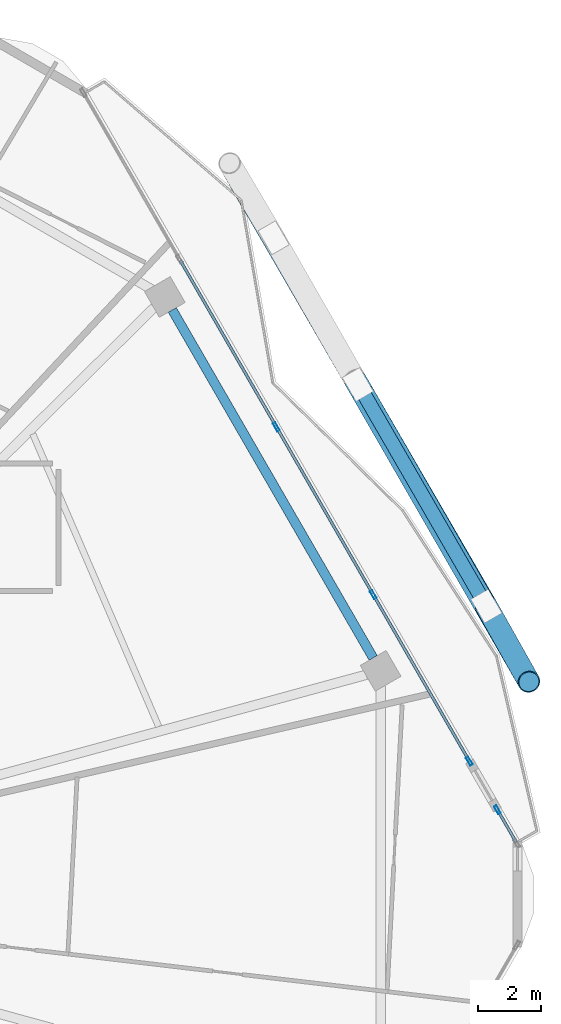
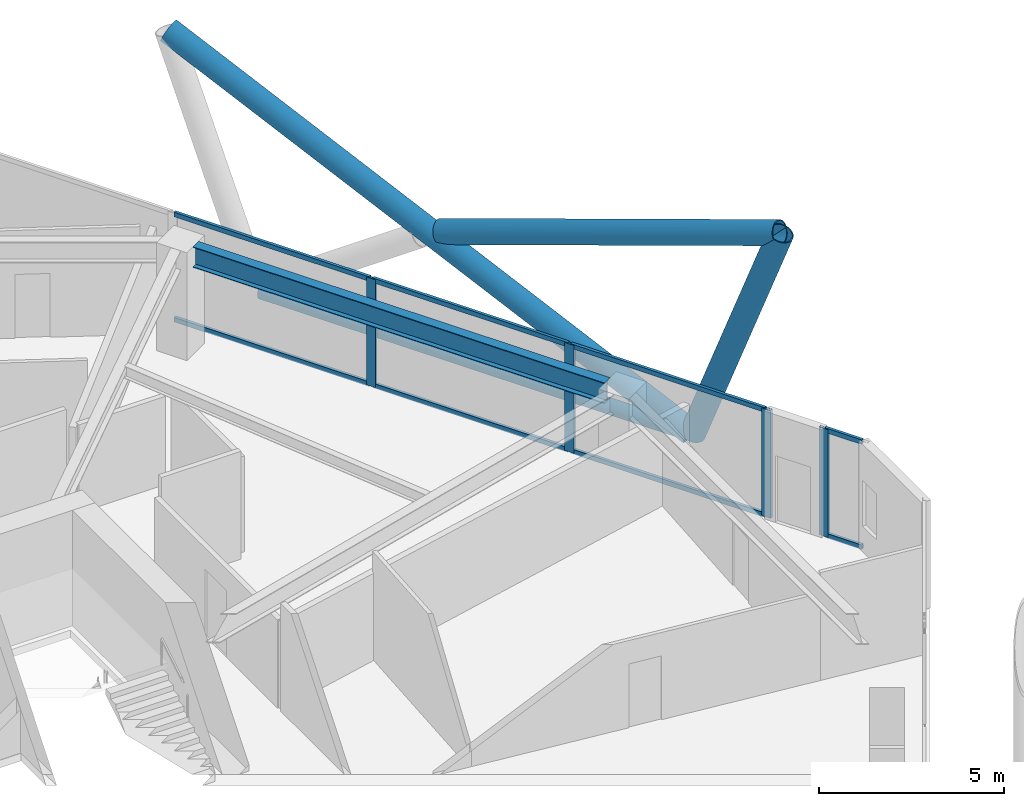
# One storey, part 16 of 27: 16 members, 1 beam, 2 elements without a shape of their own.
"""IFC4 building model written with IfcOpenShell, lengths in metres."""

from ifc_helpers import new_model, si_unit, direction, frame, origin, origin_2d, place, context, subcontext, project, spatial, hollow_rectangle, hollow_circle, i_section, extrude, material, material_profile, profile_set, type_object, element, aggregate, save


model = new_model("IFC4")

# Units and contexts
model_context = context("Model", 3, precision=1e-05, world=origin(), true_north=direction((0.0, 1.0)))
body_context = subcontext(model_context, "Body", "Model", "MODEL_VIEW")
ifc_project = project(units=[si_unit("LENGTHUNIT", "METRE"), si_unit("AREAUNIT", "SQUARE_METRE"), si_unit("VOLUMEUNIT", "CUBIC_METRE"), si_unit("PLANEANGLEUNIT", "RADIAN"), si_unit("MASSUNIT", "GRAM", prefix="KILO")], contexts=[model_context])

# Site, building, storey
site_placement = place(None, origin())
site = spatial("IfcSite", under=ifc_project, at=site_placement, CompositionType="ELEMENT")
building_placement = place(site_placement, origin())
building = spatial("IfcBuilding", under=site, at=building_placement, Name="Zuhravey Tower", CompositionType="ELEMENT")
storey_placement = place(building_placement, frame((0.0, 0.0, 215.0)))
storey = spatial("IfcBuildingStorey", under=building, at=storey_placement, Name="L54", CompositionType="ELEMENT", Elevation=215.0)

# Curtain wall, members
ifc_material_1 = material(Name="Thermally broken anodised aluminium", Category="aluminium")
curtain_wall_type = type_object("IfcCurtainWallType", Name="Zone 1-2 Residential Curtain Wall CW3", PredefinedType="NOTDEFINED", material=ifc_material_1)
curtain_wall_1_placement = place(storey_placement, origin())
curtain_wall_1 = element("IfcCurtainWall", 1, at=curtain_wall_1_placement, inside=storey, type_object=curtain_wall_type, Name="L54 CW3 CW-L54-F1-1", PredefinedType="NOTDEFINED")
ifc_material_2 = material(Name="Anodised aluminium", Category="aluminium")
ifc_material_profile_1 = material_profile(ifc_material_2, hollow_rectangle(XDim=0.090087890625, YDim=0.284912109375, WallThickness=0.0048828125, at=origin_2d()), Name="ALU-RHS-90x285x5")
ifc_profile_set_1 = profile_set([ifc_material_profile_1], Name="Anodised aluminium")
member_type_1 = type_object("IfcMemberType", Name="Curtain-Wall Mullion 90x180", PredefinedType="MULLION", material=ifc_profile_set_1)
member_1_placement = place(storey_placement, frame((58.78515625, 46.901123046875, 0.0), z_axis=(0.0, 0.0, 1.0), x_axis=(0.866024437883, 0.500001672987, 0.0)))
member_1 = element("IfcMember", 2, at=member_1_placement, type_object=member_type_1, Name="CW3 mullion 3", PredefinedType="MULLION", context=body_context, shape_type="SweptSolid", body=[
    extrude(hollow_rectangle(XDim=0.090087890625, YDim=0.284912109375, WallThickness=0.0048828125, at=origin_2d()), origin(), (0.0, 0.0, 1.0), 3.550048828125),
])
member_2_placement = place(storey_placement, frame((61.87255859375, 41.553955078125, 0.0), z_axis=(0.0, 0.0, 1.0), x_axis=(0.866024437883, 0.500001672987, 0.0)))
member_2 = element("IfcMember", 3, at=member_2_placement, type_object=member_type_1, Name="CW3 mullion 4", PredefinedType="MULLION", context=body_context, shape_type="SweptSolid", body=[
    extrude(hollow_rectangle(XDim=0.090087890625, YDim=0.284912109375, WallThickness=0.0048828125, at=origin_2d()), origin(), (0.0, 0.0, 1.0), 3.550048828125),
])
member_3_placement = place(storey_placement, frame((64.937255859375, 36.24560546875, 0.0), z_axis=(0.0, 0.0, 1.0), x_axis=(0.866024437883, 0.500001672987, 0.0)))
member_3 = element("IfcMember", 4, at=member_3_placement, type_object=member_type_1, Name="CW3 mullion 5", PredefinedType="MULLION", context=body_context, shape_type="SweptSolid", body=[
    extrude(hollow_rectangle(XDim=0.090087890625, YDim=0.284912109375, WallThickness=0.0048828125, at=origin_2d()), origin(), (0.0, 0.0, 1.0), 3.550048828125),
])

# Curtain wall, member
curtain_wall_2_placement = place(storey_placement, origin())
curtain_wall_2 = element("IfcCurtainWall", 5, at=curtain_wall_2_placement, inside=storey, type_object=curtain_wall_type, Name="L54 CW3 CW-L54-F1-2", PredefinedType="NOTDEFINED")
member_4_placement = place(storey_placement, frame((65.832275390625, 34.6953125, 0.0), z_axis=(0.0, 0.0, 1.0), x_axis=(0.866046010308, 0.499964306755, 0.0)))
member_4 = element("IfcMember", 6, at=member_4_placement, type_object=member_type_1, Name="CW3 mullion 1", PredefinedType="MULLION", context=body_context, shape_type="SweptSolid", body=[
    extrude(hollow_rectangle(XDim=0.090087890625, YDim=0.284912109375, WallThickness=0.0048828125, at=origin_2d()), origin(), (0.0, 0.0, 1.0), 3.550048828125),
])

# Member
ifc_material_profile_2 = material_profile(ifc_material_2, hollow_rectangle(XDim=0.090087890625, YDim=0.14990234375, WallThickness=0.0048828125, at=origin_2d()), Name="ALU-RHS-90x150x5")
ifc_profile_set_2 = profile_set([ifc_material_profile_2], Name="Anodised aluminium")
member_type_2 = type_object("IfcMemberType", Name="Curtain-Wall Transom 90x150", PredefinedType="USERDEFINED", material=ifc_profile_set_2)
member_5_placement = place(storey_placement, frame((55.720458984375, 52.20947265625, 0.044921875), z_axis=(0.50000147882, -0.866024549986, 0.0), x_axis=(0.866024549986, 0.50000147882, 0.0)))
member_5 = element("IfcMember", 7, at=member_5_placement, type_object=member_type_2, Name="CW3 transom 2.1", ObjectType="TRANSOM", PredefinedType="USERDEFINED", context=body_context, shape_type="SweptSolid", body=[
    extrude(hollow_rectangle(XDim=0.090087890625, YDim=0.14990234375, WallThickness=0.0048828125, at=origin_2d()), origin(), (0.0, 0.0, 1.0), 6.08447265625),
])

member_6_placement = place(storey_placement, frame((55.720458984375, 52.20947265625, 3.5048828125), z_axis=(0.50000147882, -0.866024549986, 0.0), x_axis=(0.866024549986, 0.50000147882, 0.0)))
member_6 = element("IfcMember", 8, at=member_6_placement, type_object=member_type_2, Name="CW3 transom 2.2", ObjectType="TRANSOM", PredefinedType="USERDEFINED", context=body_context, shape_type="SweptSolid", body=[
    extrude(hollow_rectangle(XDim=0.090087890625, YDim=0.14990234375, WallThickness=0.0048828125, at=origin_2d()), origin(), (0.0, 0.0, 1.0), 6.08447265625),
])

member_7_placement = place(storey_placement, frame((58.8076171875, 46.862060546875, 0.044921875), z_axis=(0.50000147882, -0.866024549986, 0.0), x_axis=(0.866024549986, 0.50000147882, 0.0)))
member_7 = element("IfcMember", 9, at=member_7_placement, type_object=member_type_2, Name="CW3 transom 3.1", ObjectType="TRANSOM", PredefinedType="USERDEFINED", context=body_context, shape_type="SweptSolid", body=[
    extrude(hollow_rectangle(XDim=0.090087890625, YDim=0.14990234375, WallThickness=0.0048828125, at=origin_2d()), origin(), (0.0, 0.0, 1.0), 6.08447265625),
])

member_8_placement = place(storey_placement, frame((58.8076171875, 46.862060546875, 3.5048828125), z_axis=(0.50000147882, -0.866024549986, 0.0), x_axis=(0.866024549986, 0.50000147882, 0.0)))
member_8 = element("IfcMember", 10, at=member_8_placement, type_object=member_type_2, Name="CW3 transom 3.2", ObjectType="TRANSOM", PredefinedType="USERDEFINED", context=body_context, shape_type="SweptSolid", body=[
    extrude(hollow_rectangle(XDim=0.090087890625, YDim=0.14990234375, WallThickness=0.0048828125, at=origin_2d()), origin(), (0.0, 0.0, 1.0), 6.08447265625),
])

member_9_placement = place(storey_placement, frame((61.89501953125, 41.514892578125, 0.044921875), z_axis=(0.499995386674, -0.866028067273, 0.0), x_axis=(0.866028067273, 0.499995386674, 0.0)))
member_9 = element("IfcMember", 11, at=member_9_placement, type_object=member_type_2, Name="CW3 transom 4.1", ObjectType="TRANSOM", PredefinedType="USERDEFINED", context=body_context, shape_type="SweptSolid", body=[
    extrude(hollow_rectangle(XDim=0.090087890625, YDim=0.14990234375, WallThickness=0.0048828125, at=origin_2d()), origin(), (0.0, 0.0, 1.0), 6.03955078125),
])

member_10_placement = place(storey_placement, frame((61.89501953125, 41.514892578125, 3.5048828125), z_axis=(0.499995386674, -0.866028067273, 0.0), x_axis=(0.866028067273, 0.499995386674, 0.0)))
member_10 = element("IfcMember", 12, at=member_10_placement, type_object=member_type_2, Name="CW3 transom 4.2", ObjectType="TRANSOM", PredefinedType="USERDEFINED", context=body_context, shape_type="SweptSolid", body=[
    extrude(hollow_rectangle(XDim=0.090087890625, YDim=0.14990234375, WallThickness=0.0048828125, at=origin_2d()), origin(), (0.0, 0.0, 1.0), 6.03955078125),
])

aggregate(curtain_wall_1, [member_1, member_2, member_3, member_5, member_6, member_7, member_8, member_9, member_10])

member_11_placement = place(storey_placement, frame((65.854736328125, 34.656494140625, 0.044921875), z_axis=(0.499925626596, -0.866068339032, 0.0), x_axis=(0.866068339032, 0.499925626596, 0.0)))
member_11 = element("IfcMember", 13, at=member_11_placement, type_object=member_type_2, Name="CW3 transom 1.1", ObjectType="TRANSOM", PredefinedType="USERDEFINED", context=body_context, shape_type="SweptSolid", body=[
    extrude(hollow_rectangle(XDim=0.090087890625, YDim=0.14990234375, WallThickness=0.0048828125, at=origin_2d()), origin(), (0.0, 0.0, 1.0), 1.144287109375),
])

member_12_placement = place(storey_placement, frame((65.854736328125, 34.656494140625, 3.5048828125), z_axis=(0.499925626596, -0.866068339032, 0.0), x_axis=(0.866068339032, 0.499925626596, 0.0)))
member_12 = element("IfcMember", 14, at=member_12_placement, type_object=member_type_2, Name="CW3 transom 1.2", ObjectType="TRANSOM", PredefinedType="USERDEFINED", context=body_context, shape_type="SweptSolid", body=[
    extrude(hollow_rectangle(XDim=0.090087890625, YDim=0.14990234375, WallThickness=0.0048828125, at=origin_2d()), origin(), (0.0, 0.0, 1.0), 1.144287109375),
])

aggregate(curtain_wall_2, [member_4, member_11, member_12])

# Members
ifc_material_3 = material(Name="Steel SM355", Category="steel")
ifc_material_profile_3 = material_profile(ifc_material_3, hollow_circle(Radius=0.228515625, WallThickness=0.02197265625, at=origin_2d()), Name="CHS-457.2x22")
ifc_profile_set_3 = profile_set([ifc_material_profile_3], Name="Steel SM355")
member_type_3 = type_object("IfcMemberType", Name="Exoskeleton Ring Tie CHS457x22", PredefinedType="CHORD", material=ifc_profile_set_3)
member_13_placement = place(storey_placement, frame((65.40771484375, 41.310302734375, -0.464111328125), z_axis=(-0.499996131841, 0.866027637056, 0.0), x_axis=(-0.866027637056, -0.499996131841, 0.0)))
element("IfcMember", 15, at=member_13_placement, inside=storey, type_object=member_type_3, Name="L54 Exoskeleton Face 1 Tie EXR1", PredefinedType="CHORD", context=body_context, shape_type="SweptSolid", body=[
    extrude(hollow_circle(Radius=0.228515625, WallThickness=0.02197265625, at=origin_2d()), origin(), (0.0, 0.0, 1.0), 13.28173828125),
])
ifc_material_4 = material(Name="Steel SM460", Category="steel")
ifc_material_profile_4 = material_profile(ifc_material_4, hollow_circle(Radius=0.355712890625, WallThickness=0.031982421875, at=origin_2d()), Name="CHS-711.2x32")
ifc_profile_set_4 = profile_set([ifc_material_profile_4], Name="Steel SM460")
member_type_4 = type_object("IfcMemberType", Name="Exoskeleton Zone 2 Diagrid CHS711x32", PredefinedType="BRACE", material=ifc_profile_set_4)
member_14_placement = place(storey_placement, frame((65.4814453125, 41.182861328125, -0.444091796875), z_axis=(0.168210915407, -0.298805683816, 0.939372264471), x_axis=(0.871410102193, 0.490555230118, 0.0)))
element("IfcMember", 16, at=member_14_placement, inside=storey, type_object=member_type_4, Name="L54 Face 1 Diagrid Brace 1", PredefinedType="BRACE", context=body_context, shape_type="SweptSolid", body=[
    extrude(hollow_circle(Radius=0.355712890625, WallThickness=0.031982421875, at=origin_2d()), origin(), (0.0, 0.0, 1.0), 8.048095703125),
])
member_15_placement = place(storey_placement, frame((65.456298828125, 41.226318359375, -0.444091796875), z_axis=(-0.454785576213, 0.78437094183, 0.421820228629), x_axis=(-0.865102775401, -0.501594645101, 0.0)))
element("IfcMember", 17, at=member_15_placement, inside=storey, type_object=member_type_4, Name="L54 Face 1 Diagrid Brace 2", PredefinedType="BRACE", context=body_context, shape_type="SweptSolid", body=[
    extrude(hollow_circle(Radius=0.355712890625, WallThickness=0.031982421875, at=origin_2d()), origin(), (0.0, 0.0, 1.0), 17.92236328125),
])
member_16_placement = place(storey_placement, frame((61.543701171875, 47.972412109375, 3.449462890625), z_axis=(0.471213817149, -0.818744370598, 0.3280475486), x_axis=(0.866706878628, 0.498817788915, 0.0)))
element("IfcMember", 18, at=member_16_placement, inside=storey, type_object=member_type_4, Name="L54 Face 1 Split Diagrid Brace 3B", PredefinedType="BRACE", context=body_context, shape_type="SweptSolid", body=[
    extrude(hollow_circle(Radius=0.355712890625, WallThickness=0.031982421875, at=origin_2d()), origin(), (0.0, 0.0, 1.0), 11.190185546875),
])

# Beam
ifc_material_profile_5 = material_profile(ifc_material_3, i_section(OverallWidth=0.300048828125, OverallDepth=0.679931640625, WebThickness=0.012939453125, FlangeThickness=0.02197265625, at=origin_2d()), Name="H-680x300x13x22")
ifc_profile_set_5 = profile_set([ifc_material_profile_5], Name="Steel SM355")
beam_type = type_object("IfcBeamType", Name="Perimeter Ring Beam H680x300", PredefinedType="BEAM", material=ifc_profile_set_5)
beam_placement = place(storey_placement, frame((61.86865234375, 39.54052734375, 3.2099609375), z_axis=(-0.500003505699, 0.866023379758, 0.0), x_axis=(-0.866023379758, -0.500003505699, 0.0)))
element("IfcBeam", 19, at=beam_placement, inside=storey, type_object=beam_type, Name="L54 PB2 BM-L54-PB-01", PredefinedType="BEAM", context=body_context, shape_type="SweptSolid", body=[
    extrude(i_section(OverallWidth=0.300048828125, OverallDepth=0.679931640625, WebThickness=0.012939453125, FlangeThickness=0.02197265625, at=origin_2d()), origin(), (0.0, 0.0, 1.0), 12.80810546875),
])

save(model, "model.ifc")
